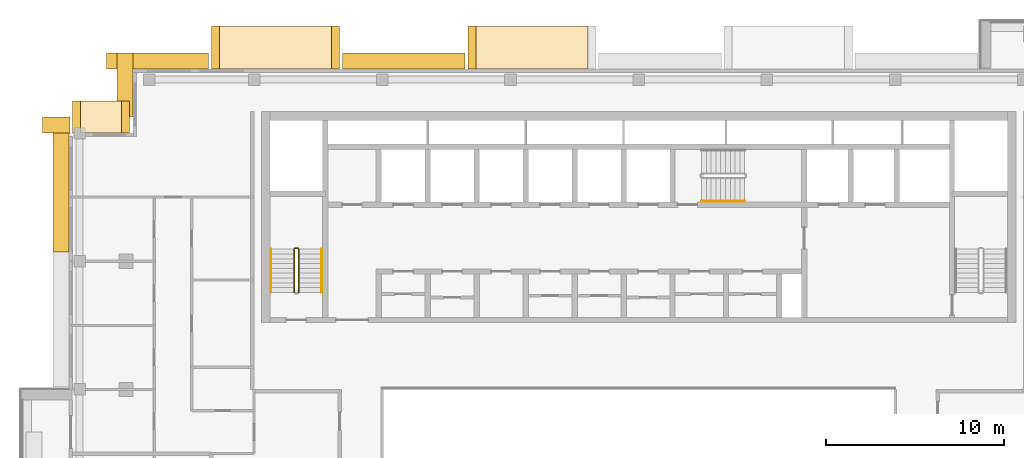
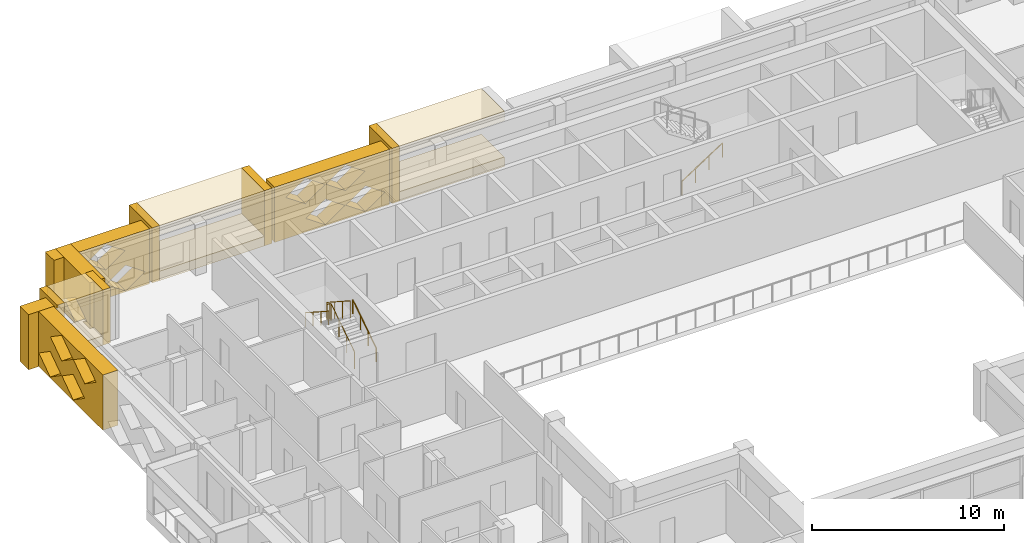
# One storey, part 17 of 19: 16 coverings, 4 railings.
"""IFC4 building model written with IfcOpenShell, lengths in metres."""

from ifc_helpers import new_model, si_unit, direction, frame, origin, origin_2d, place, context, subcontext, project, spatial, polyline, circle, outline, extrude, material, type_object, element, save


model = new_model("IFC4")

# Units and contexts
model_context = context("Model", 3, precision=1e-05, world=origin(), true_north=direction((0.0, 1.0)))
body_context = subcontext(model_context, "Body", "Model", "MODEL_VIEW")
ifc_project = project(units=[si_unit("LENGTHUNIT", "METRE"), si_unit("AREAUNIT", "SQUARE_METRE"), si_unit("VOLUMEUNIT", "CUBIC_METRE"), si_unit("PLANEANGLEUNIT", "RADIAN"), si_unit("MASSUNIT", "GRAM", prefix="KILO")], contexts=[model_context])

# Site, building, storey
site_placement = place(None, origin())
site = spatial("IfcSite", under=ifc_project, at=site_placement, CompositionType="ELEMENT")
building_placement = place(site_placement, origin())
building = spatial("IfcBuilding", under=site, at=building_placement, Name="Saffron Iwan Residences", CompositionType="ELEMENT")
storey_placement = place(building_placement, frame((0.0, 0.0, 236.0)))
storey = spatial("IfcBuildingStorey", under=building, at=storey_placement, Name="L63", CompositionType="ELEMENT", Elevation=236.0)

# Coverings
ifc_material_1 = material(Name="Precast concrete C40/50", Category="concrete")
covering_type_1 = type_object("IfcCoveringType", Name="OUTER SKIN LATTICE SCREEN", PredefinedType="CLADDING", material=ifc_material_1)
covering_1_placement = place(storey_placement, frame((40.64990234375, 80.39990234375, -0.280029296875), z_axis=(0.0, 1.0, 0.0), x_axis=(-1.0, 0.0, 0.0)))
element("IfcCovering", 1, at=covering_1_placement, inside=storey, type_object=covering_type_1, Name="OUTER SKIN lattice screen L63 F5.3", PredefinedType="CLADDING", context=body_context, shape_type="SweptSolid", body=[
    extrude(outline(polyline([(0.0, 0.0), (6.89990234375, 0.0), (6.89990234375, 3.5), (0.0, 3.5), (0.0, 0.0)]), holes=[polyline([(0.27001953125, 0.875), (1.449951171875, 0.06005859375), (2.6298828125, 0.875), (1.449951171875, 1.68994140625), (0.27001953125, 0.875)]), polyline([(2.669921875, 0.875), (3.85009765625, 0.06005859375), (5.030029296875, 0.875), (3.85009765625, 1.68994140625), (2.669921875, 0.875)]), polyline([(1.469970703125, 2.625), (2.64990234375, 1.81005859375), (3.830078125, 2.625), (2.64990234375, 3.43994140625), (1.469970703125, 2.625)]), polyline([(3.8701171875, 2.625), (5.050048828125, 1.81005859375), (6.22998046875, 2.625), (5.050048828125, 3.43994140625), (3.8701171875, 2.625)])]), origin(), (0.0, 0.0, 1.0), 0.900146484375),
])
covering_2_placement = place(storey_placement, frame((26.25, 80.39990234375, -0.280029296875), z_axis=(0.0, 1.0, 0.0), x_axis=(-1.0, 0.0, 0.0)))
element("IfcCovering", 2, at=covering_2_placement, inside=storey, type_object=covering_type_1, Name="OUTER SKIN lattice screen L63 F5.4", PredefinedType="CLADDING", context=body_context, shape_type="SweptSolid", body=[
    extrude(outline(polyline([(0.0, 0.0), (5.75, 0.0), (5.75, 3.5), (0.0, 3.5), (0.0, 0.0)]), holes=[polyline([(0.27001953125, 0.875), (1.449951171875, 0.06005859375), (2.6298828125, 0.875), (1.449951171875, 1.68994140625), (0.27001953125, 0.875)]), polyline([(2.669921875, 0.875), (3.85009765625, 0.06005859375), (5.030029296875, 0.875), (3.85009765625, 1.68994140625), (2.669921875, 0.875)]), polyline([(1.469970703125, 2.625), (2.64990234375, 1.81005859375), (3.830078125, 2.625), (2.64990234375, 3.43994140625), (1.469970703125, 2.625)])]), origin(), (0.0, 0.0, 1.0), 0.900146484375),
])
covering_3_placement = place(storey_placement, frame((22.0, 81.300048828125, -0.280029296875), z_axis=(-1.0, 0.0, 0.0), x_axis=(0.0, -1.0, 0.0)))
element("IfcCovering", 3, at=covering_3_placement, inside=storey, type_object=covering_type_1, Name="OUTER SKIN lattice screen L63 F6.0", PredefinedType="CLADDING", context=body_context, shape_type="SweptSolid", body=[
    extrude(outline(polyline([(0.0, 0.0), (3.60009765625, 0.0), (3.60009765625, 3.5), (0.0, 3.5), (0.0, 0.0)]), holes=[polyline([(0.919921875, 0.875), (2.10009765625, 0.06005859375), (3.280029296875, 0.875), (2.10009765625, 1.68994140625), (0.919921875, 0.875)])]), origin(), (0.0, 0.0, 1.0), 0.89990234375),
])
covering_4_placement = place(storey_placement, frame((18.449951171875, 76.800048828125, -0.280029296875), z_axis=(0.0, 1.0, 0.0), x_axis=(-1.0, 0.0, 0.0)))
element("IfcCovering", 4, at=covering_4_placement, inside=storey, type_object=covering_type_1, Name="OUTER SKIN lattice screen L63 F7.0", PredefinedType="CLADDING", context=body_context, shape_type="SweptSolid", body=[
    extrude(outline(polyline([(0.0, 0.0), (1.550048828125, 0.0), (1.550048828125, 3.5), (0.0, 3.5), (0.0, 0.0)])), origin(), (0.0, 0.0, 1.0), 0.89990234375),
])
covering_5_placement = place(storey_placement, frame((18.39990234375, 77.699951171875, -0.280029296875), z_axis=(-1.0, 0.0, 0.0), x_axis=(0.0, -1.0, 0.0)))
element("IfcCovering", 5, at=covering_5_placement, inside=storey, type_object=covering_type_1, Name="OUTER SKIN lattice screen L63 F8.0", PredefinedType="CLADDING", context=body_context, shape_type="SweptSolid", body=[
    extrude(outline(polyline([(0.0, 0.0), (7.574951171875, 0.0), (7.574951171875, 3.5), (0.0, 3.5), (0.0, 0.0)]), holes=[polyline([(0.919921875, 0.875), (2.10009765625, 0.06005859375), (3.280029296875, 0.875), (2.10009765625, 1.68994140625), (0.919921875, 0.875)]), polyline([(3.320068359375, 0.875), (4.5, 0.06005859375), (5.679931640625, 0.875), (4.5, 1.68994140625), (3.320068359375, 0.875)]), polyline([(2.1201171875, 2.625), (3.300048828125, 1.81005859375), (4.47998046875, 2.625), (3.300048828125, 3.43994140625), (2.1201171875, 2.625)]), polyline([(4.52001953125, 2.625), (5.699951171875, 1.81005859375), (6.8798828125, 2.625), (5.699951171875, 3.43994140625), (4.52001953125, 2.625)])]), origin(), (0.0, 0.0, 1.0), 0.89990234375),
])

# Railings
ifc_material_2 = material(Name="Steel S355", Category="steel")
railing_type_1 = type_object("IfcRailingType", Name="Stair guard 1100", PredefinedType="GUARDRAIL", material=ifc_material_2)
railing_1_placement = place(storey_placement, frame((31.300048828125, 67.85009765625, 0.175048828125)))
element("IfcRailing", 6, at=railing_1_placement, inside=storey, type_object=railing_type_1, Name="L63 ST-W stair guard 1", PredefinedType="GUARDRAIL", context=body_context, shape_type="SweptSolid", body=[
    extrude(circle(Radius=0.02392578125, at=origin_2d()), frame((0.0, 0.0, 1.076171875), z_axis=(0.0, 0.839153699163, 0.543894354798), x_axis=(-1.0, 0.0, 0.0)), (0.0, 0.0, 1.0), 2.895751953125),
    extrude(circle(Radius=0.02392578125, at=origin_2d()), frame((0.0, 2.429931640625, 2.65087890625), z_axis=(-0.707106781187, 0.707106781187, 0.0), x_axis=(-0.707106781187, -0.707106781187, 0.0)), (0.0, 0.0, 1.0), 0.07080078125),
    extrude(circle(Radius=0.02392578125, at=origin_2d()), frame((-0.050048828125, 2.47998046875, 2.65087890625), z_axis=(-1.0, 0.0, 0.0), x_axis=(0.0, -1.0, 0.0)), (0.0, 0.0, 1.0), 0.14990234375),
    extrude(circle(Radius=0.02392578125, at=origin_2d()), frame((-0.199951171875, 2.47998046875, 2.65087890625), z_axis=(-0.265065253269, -0.265065253269, 0.927081885822), x_axis=(0.707106781187, -0.707106781187, 0.0)), (0.0, 0.0, 1.0), 0.188720703125),
    extrude(circle(Radius=0.02392578125, at=origin_2d()), frame((-0.25, 2.429931640625, 2.826171875), z_axis=(0.0, -0.839153699163, 0.543894354798), x_axis=(1.0, 0.0, 0.0)), (0.0, 0.0, 1.0), 2.895751953125),
    extrude(circle(Radius=0.02099609375, at=origin_2d()), origin(), (0.0, 0.0, 1.0), 1.052001953125),
    extrude(circle(Radius=0.02099609375, at=origin_2d()), frame((0.0, 0.81005859375, 0.52490234375)), (0.0, 0.0, 1.0), 1.052001953125),
    extrude(circle(Radius=0.02099609375, at=origin_2d()), frame((0.0, 1.619873046875, 1.050048828125)), (0.0, 0.0, 1.0), 1.052001953125),
    extrude(circle(Radius=0.02099609375, at=origin_2d()), frame((0.0, 2.429931640625, 1.574951171875)), (0.0, 0.0, 1.0), 1.052001953125),
    extrude(circle(Radius=0.02099609375, at=origin_2d()), frame((-0.050048828125, 2.47998046875, 1.574951171875)), (0.0, 0.0, 1.0), 1.052001953125),
    extrude(circle(Radius=0.02099609375, at=origin_2d()), frame((-0.199951171875, 2.47998046875, 1.574951171875)), (0.0, 0.0, 1.0), 1.052001953125),
    extrude(circle(Radius=0.02099609375, at=origin_2d()), frame((-0.25, 2.429931640625, 1.75)), (0.0, 0.0, 1.0), 1.052001953125),
    extrude(circle(Radius=0.02099609375, at=origin_2d()), frame((-0.25, 1.619873046875, 2.27490234375)), (0.0, 0.0, 1.0), 1.052001953125),
    extrude(circle(Radius=0.02099609375, at=origin_2d()), frame((-0.25, 0.81005859375, 2.800048828125)), (0.0, 0.0, 1.0), 1.052001953125),
    extrude(circle(Radius=0.02099609375, at=origin_2d()), frame((-0.25, 0.0, 3.324951171875)), (0.0, 0.0, 1.0), 1.052001953125),
])
ifc_material_3 = material(Name="Stainless steel 316", Category="steel")
railing_type_2 = type_object("IfcRailingType", Name="Stair handrail 900", PredefinedType="HANDRAIL", material=ifc_material_3)
railing_2_placement = place(storey_placement, frame((32.60009765625, 67.85009765625, 0.175048828125)))
element("IfcRailing", 7, at=railing_2_placement, inside=storey, type_object=railing_type_2, Name="L63 ST-W stair handrail 1", PredefinedType="HANDRAIL", context=body_context, shape_type="SweptSolid", body=[
    extrude(circle(Radius=0.02392578125, at=origin_2d()), frame((0.0, 0.0, 0.8759765625), z_axis=(0.0, 0.839153699163, 0.543894354798), x_axis=(-1.0, 0.0, 0.0)), (0.0, 0.0, 1.0), 2.895751953125),
    extrude(circle(Radius=0.02099609375, at=origin_2d()), origin(), (0.0, 0.0, 1.0), 0.851806640625),
    extrude(circle(Radius=0.02099609375, at=origin_2d()), frame((0.0, 0.81005859375, 0.52490234375)), (0.0, 0.0, 1.0), 0.851806640625),
    extrude(circle(Radius=0.02099609375, at=origin_2d()), frame((0.0, 1.619873046875, 1.050048828125)), (0.0, 0.0, 1.0), 0.851806640625),
    extrude(circle(Radius=0.02099609375, at=origin_2d()), frame((0.0, 2.429931640625, 1.574951171875)), (0.0, 0.0, 1.0), 0.851806640625),
])
railing_3_placement = place(storey_placement, frame((29.75, 70.280029296875, 1.925048828125)))
element("IfcRailing", 8, at=railing_3_placement, inside=storey, type_object=railing_type_2, Name="L63 ST-W stair handrail 2", PredefinedType="HANDRAIL", context=body_context, shape_type="SweptSolid", body=[
    extrude(circle(Radius=0.02392578125, at=origin_2d()), frame((0.0, 0.0, 0.8759765625), z_axis=(0.0, -0.839153699163, 0.543894354798), x_axis=(1.0, 0.0, 0.0)), (0.0, 0.0, 1.0), 2.895751953125),
    extrude(circle(Radius=0.02099609375, at=origin_2d()), origin(), (0.0, 0.0, 1.0), 0.851806640625),
    extrude(circle(Radius=0.02099609375, at=origin_2d()), frame((0.0, -0.81005859375, 0.52490234375)), (0.0, 0.0, 1.0), 0.851806640625),
    extrude(circle(Radius=0.02099609375, at=origin_2d()), frame((0.0, -1.619873046875, 1.050048828125)), (0.0, 0.0, 1.0), 0.851806640625),
    extrude(circle(Radius=0.02099609375, at=origin_2d()), frame((0.0, -2.429931640625, 1.574951171875)), (0.0, 0.0, 1.0), 0.851806640625),
])
railing_4_placement = place(storey_placement, frame((53.925048828125, 72.97509765625, 0.175048828125)))
element("IfcRailing", 9, at=railing_4_placement, inside=storey, type_object=railing_type_2, Name="L63 ST-C stair handrail 1", PredefinedType="HANDRAIL", context=body_context, shape_type="SweptSolid", body=[
    extrude(circle(Radius=0.02392578125, at=origin_2d()), frame((0.0, 0.0, 0.8759765625), z_axis=(0.839153699163, 0.0, 0.543894354798), x_axis=(0.0, 1.0, 0.0)), (0.0, 0.0, 1.0), 2.895751953125),
    extrude(circle(Radius=0.02099609375, at=origin_2d()), origin(), (0.0, 0.0, 1.0), 0.851806640625),
    extrude(circle(Radius=0.02099609375, at=origin_2d()), frame((0.81005859375, 0.0, 0.52490234375)), (0.0, 0.0, 1.0), 0.851806640625),
    extrude(circle(Radius=0.02099609375, at=origin_2d()), frame((1.619873046875, 0.0, 1.050048828125)), (0.0, 0.0, 1.0), 0.851806640625),
    extrude(circle(Radius=0.02099609375, at=origin_2d()), frame((2.429931640625, 0.0, 1.574951171875)), (0.0, 0.0, 1.0), 0.851806640625),
])

# Coverings
ifc_material_4 = material(Name="Precast concrete C40/50 white painted", Category="concrete")
covering_type_2 = type_object("IfcCoveringType", Name="WHITE SUN FRAME PRECAST", PredefinedType="CLADDING", material=ifc_material_4)
covering_6_placement = place(storey_placement, frame((41.25, 80.39990234375, -0.280029296875), z_axis=(0.0, 1.0, 0.0), x_axis=(-1.0, 0.0, 0.0)))
element("IfcCovering", 10, at=covering_6_placement, inside=storey, type_object=covering_type_2, Name="Sun frame L63 F5 30.8b", PredefinedType="CLADDING", context=body_context, shape_type="SweptSolid", body=[
    extrude(outline(polyline([(0.0, 0.0), (0.449951171875, 0.0), (0.449951171875, 3.5), (0.0, 3.5), (0.0, 0.0)])), origin(), (0.0, 0.0, 1.0), 2.400146484375),
])
for number, where, z_axis, x_axis, name in (
    (11, (47.550048828125, 80.39990234375, 2.6201171875), (0.0, 1.0, 0.0), (-1.0, 0.0, 0.0), "Sun frame L63 F5 30.8h"),
    (12, (47.550048828125, 80.39990234375, -0.280029296875), (0.0, 1.0, 0.0), (-1.0, 0.0, 0.0), "Sun frame L63 F5 30.8s"),
):
    element("IfcCovering", number, at=place(storey_placement, frame(where, z_axis=z_axis, x_axis=x_axis)), inside=storey, type_object=covering_type_2, Name=name, PredefinedType="CLADDING", context=body_context, shape_type="SweptSolid", body=[
        extrude(outline(polyline([(0.0, 0.0), (6.300048828125, 0.0), (6.300048828125, 0.60009765625), (0.0, 0.60009765625), (0.0, 0.0)])), origin(), (0.0, 0.0, 1.0), 2.400146484375),
    ])
for number, where, z_axis, x_axis, name in (
    (13, (33.60009765625, 80.39990234375, -0.280029296875), (0.0, 1.0, 0.0), (-1.0, 0.0, 0.0), "Sun frame L63 F5 45.2a"),
    (14, (26.85009765625, 80.39990234375, -0.280029296875), (0.0, 1.0, 0.0), (-1.0, 0.0, 0.0), "Sun frame L63 F5 45.2b"),
):
    element("IfcCovering", number, at=place(storey_placement, frame(where, z_axis=z_axis, x_axis=x_axis)), inside=storey, type_object=covering_type_2, Name=name, PredefinedType="CLADDING", context=body_context, shape_type="SweptSolid", body=[
        extrude(outline(polyline([(0.0, 0.0), (0.449951171875, 0.0), (0.449951171875, 3.5), (0.0, 3.5), (0.0, 0.0)])), origin(), (0.0, 0.0, 1.0), 2.400146484375),
    ])
for number, where, z_axis, x_axis, name in (
    (15, (33.14990234375, 80.39990234375, 2.6201171875), (0.0, 1.0, 0.0), (-1.0, 0.0, 0.0), "Sun frame L63 F5 45.2h"),
    (16, (33.14990234375, 80.39990234375, -0.280029296875), (0.0, 1.0, 0.0), (-1.0, 0.0, 0.0), "Sun frame L63 F5 45.2s"),
):
    element("IfcCovering", number, at=place(storey_placement, frame(where, z_axis=z_axis, x_axis=x_axis)), inside=storey, type_object=covering_type_2, Name=name, PredefinedType="CLADDING", context=body_context, shape_type="SweptSolid", body=[
        extrude(outline(polyline([(0.0, 0.0), (6.300048828125, 0.0), (6.300048828125, 0.60009765625), (0.0, 0.60009765625), (0.0, 0.0)])), origin(), (0.0, 0.0, 1.0), 2.400146484375),
    ])
for number, where, z_axis, x_axis, name in (
    (17, (21.800048828125, 76.800048828125, -0.280029296875), (0.0, 1.0, 0.0), (-1.0, 0.0, 0.0), "Sun frame L63 F7 0.2a"),
    (18, (19.050048828125, 76.800048828125, -0.280029296875), (0.0, 1.0, 0.0), (-1.0, 0.0, 0.0), "Sun frame L63 F7 0.2b"),
):
    element("IfcCovering", number, at=place(storey_placement, frame(where, z_axis=z_axis, x_axis=x_axis)), inside=storey, type_object=covering_type_2, Name=name, PredefinedType="CLADDING", context=body_context, shape_type="SweptSolid", body=[
        extrude(outline(polyline([(0.0, 0.0), (0.449951171875, 0.0), (0.449951171875, 3.5), (0.0, 3.5), (0.0, 0.0)])), origin(), (0.0, 0.0, 1.0), 1.800048828125),
    ])
for number, where, z_axis, x_axis, name in (
    (19, (21.35009765625, 76.800048828125, 2.6201171875), (0.0, 1.0, 0.0), (-1.0, 0.0, 0.0), "Sun frame L63 F7 0.2h"),
    (20, (21.35009765625, 76.800048828125, -0.280029296875), (0.0, 1.0, 0.0), (-1.0, 0.0, 0.0), "Sun frame L63 F7 0.2s"),
):
    element("IfcCovering", number, at=place(storey_placement, frame(where, z_axis=z_axis, x_axis=x_axis)), inside=storey, type_object=covering_type_2, Name=name, PredefinedType="CLADDING", context=body_context, shape_type="SweptSolid", body=[
        extrude(outline(polyline([(0.0, 0.0), (2.300048828125, 0.0), (2.300048828125, 0.60009765625), (0.0, 0.60009765625), (0.0, 0.0)])), origin(), (0.0, 0.0, 1.0), 1.800048828125),
    ])

save(model, "model.ifc")
